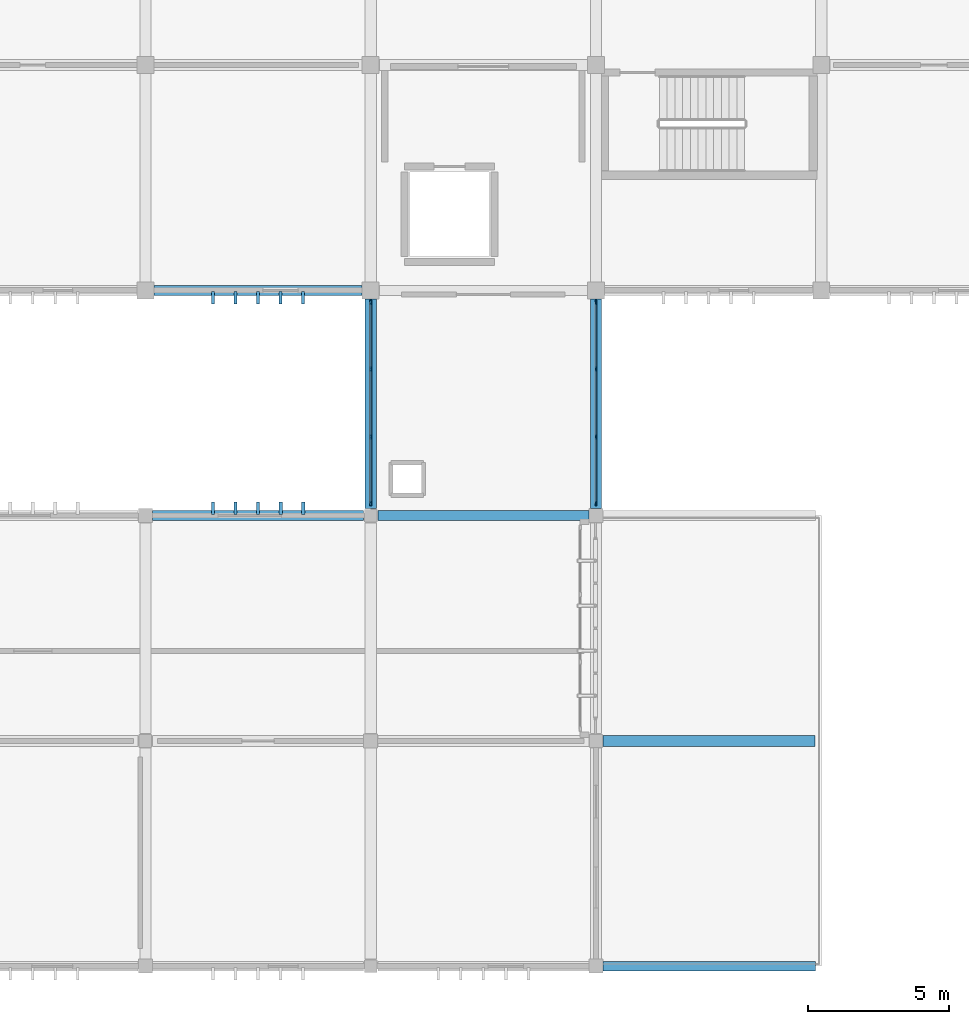
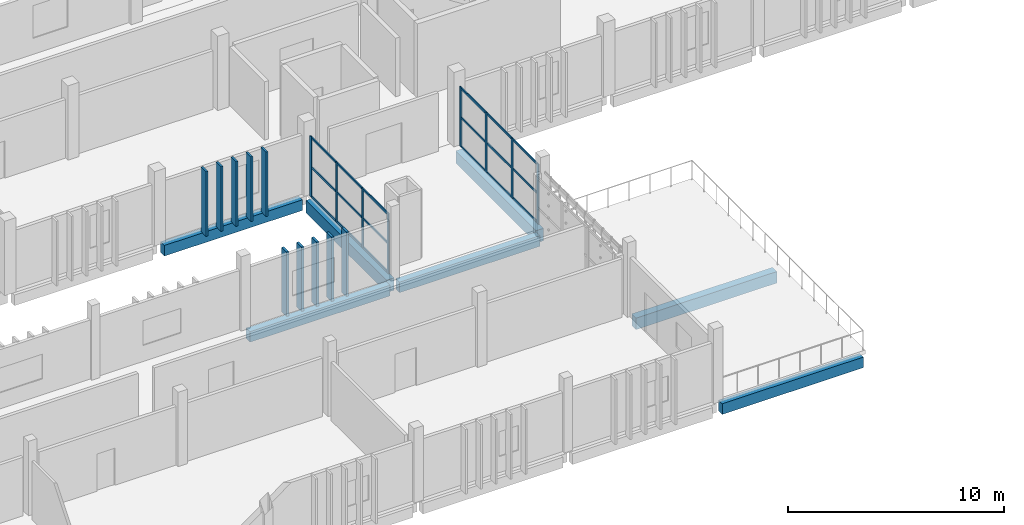
# One storey, part 29 of 63: 36 members, 7 beams, 2 elements without a shape of their own.
"""IFC4 building model written with IfcOpenShell, lengths in metres."""

from ifc_helpers import new_model, si_unit, direction, frame, origin, origin_2d, place, context, subcontext, project, spatial, rectangle, extrude, material, layer, layer_set, material_profile, profile_set, type_object, element, aggregate, save


model = new_model("IFC4")

# Units and contexts
model_context = context("Model", 3, precision=1e-05, world=origin(), true_north=direction((0.0, 1.0)))
body_context = subcontext(model_context, "Body", "Model", "MODEL_VIEW")
ifc_project = project(units=[si_unit("LENGTHUNIT", "METRE"), si_unit("AREAUNIT", "SQUARE_METRE"), si_unit("VOLUMEUNIT", "CUBIC_METRE"), si_unit("PLANEANGLEUNIT", "RADIAN"), si_unit("MASSUNIT", "GRAM", prefix="KILO")], contexts=[model_context])

# Site, building, storey
site_placement = place(None, origin())
site = spatial("IfcSite", under=ifc_project, at=site_placement, CompositionType="ELEMENT")
building_placement = place(site_placement, origin())
building = spatial("IfcBuilding", under=site, at=building_placement, Name="Jelvoka-Kovrelna Polytechnic", CompositionType="ELEMENT")
storey_placement = place(building_placement, frame((0.0, 0.0, 18.0)))
storey = spatial("IfcBuildingStorey", under=building, at=storey_placement, Name="L05", CompositionType="ELEMENT", Elevation=18.0)

# Beams
ifc_material_1 = material(Name="Concrete C40/50", Category="concrete")
ifc_material_profile_1 = material_profile(ifc_material_1, rectangle(XDim=0.39990234375, YDim=0.64990234375, at=origin_2d()), Name="RC 400x650")
ifc_profile_set_1 = profile_set([ifc_material_profile_1], Name="Concrete C40/50")
beam_type_1 = type_object("IfcBeamType", Name="Beam_RC_400x650", PredefinedType="BEAM", material=ifc_profile_set_1)
beam_1_placement = place(storey_placement, frame((152.2548828125, 16.0, -0.544921875), z_axis=(1.0, 0.0, 0.0), x_axis=(0.0, 1.0, 0.0)))
element("IfcBeam", 1, at=beam_1_placement, inside=storey, type_object=beam_type_1, Name="L05 beam 1619", PredefinedType="BEAM", context=body_context, shape_type="SweptSolid", body=[
    extrude(rectangle(XDim=0.39990234375, YDim=0.64990234375, at=origin_2d()), origin(), (0.0, 0.0, 1.0), 7.51513671875),
])
ifc_material_2 = material(Name="Concrete C40/50", Category="concrete")
ifc_material_profile_2 = material_profile(ifc_material_2, rectangle(XDim=0.39990234375, YDim=0.699951171875, at=origin_2d()), Name="RC 400x700")
ifc_profile_set_2 = profile_set([ifc_material_profile_2], Name="Concrete C40/50")
beam_type_2 = type_object("IfcBeamType", Name="Beam_RC_400x700", PredefinedType="BEAM", material=ifc_profile_set_2)
for number, where, z_axis, x_axis, name in (
    (2, (144.0, 24.2548828125, -0.60009765625), (0.0, 1.0, 0.0), (-1.0, 0.0, 0.0), "L05 beam 1608"),
    (3, (152.0, 24.2548828125, -0.60009765625), (0.0, 1.0, 0.0), (-1.0, 0.0, 0.0), "L05 beam 1609"),
):
    element("IfcBeam", number, at=place(storey_placement, frame(where, z_axis=z_axis, x_axis=x_axis)), inside=storey, type_object=beam_type_2, Name=name, PredefinedType="BEAM", context=body_context, shape_type="SweptSolid", body=[
        extrude(rectangle(XDim=0.39990234375, YDim=0.699951171875, at=origin_2d()), origin(), (0.0, 0.0, 1.0), 7.440185546875),
    ])

# Members
ifc_material_3 = material(Name="Precast concrete C40/50", Category="concrete")
ifc_material_profile_3 = material_profile(ifc_material_3, rectangle(XDim=0.10009765625, YDim=0.449951171875, at=origin_2d()), Name="PC 100x450")
ifc_profile_set_3 = profile_set([ifc_material_profile_3], Name="Precast concrete C40/50")
member_type_1 = type_object("IfcMemberType", Name="Louvre_Fin_100x450", PredefinedType="USERDEFINED", material=ifc_profile_set_3)
for number, where, z_axis, x_axis, name in (
    (4, (138.39990234375, 31.735107421875, -0.27001953125), (0.0, 0.0, 1.0), (1.0, 0.0, 0.0), "L05 B2E south vertical solar louvre fin 1016"),
    (5, (139.199951171875, 31.735107421875, -0.27001953125), (0.0, 0.0, 1.0), (1.0, 0.0, 0.0), "L05 B2E south vertical solar louvre fin 1017"),
    (6, (140.0, 31.735107421875, -0.27001953125), (0.0, 0.0, 1.0), (1.0, 0.0, 0.0), "L05 B2E south vertical solar louvre fin 1018"),
    (7, (140.800048828125, 31.735107421875, -0.27001953125), (0.0, 0.0, 1.0), (1.0, 0.0, 0.0), "L05 B2E south vertical solar louvre fin 1019"),
    (8, (141.60009765625, 31.735107421875, -0.27001953125), (0.0, 0.0, 1.0), (1.0, 0.0, 0.0), "L05 B2E south vertical solar louvre fin 1020"),
):
    element("IfcMember", number, at=place(storey_placement, frame(where, z_axis=z_axis, x_axis=x_axis)), inside=storey, type_object=member_type_1, Name=name, ObjectType="SUNSHADE", PredefinedType="USERDEFINED", context=body_context, shape_type="SweptSolid", body=[
        extrude(rectangle(XDim=0.10009765625, YDim=0.449951171875, at=origin_2d()), origin(), (0.0, 0.0, 1.0), 3.655029296875),
    ])
ifc_material_4 = material(Name="Precast concrete C40/50", Category="concrete")
ifc_material_profile_4 = material_profile(ifc_material_4, rectangle(XDim=0.1201171875, YDim=0.449951171875, at=origin_2d()), Name="PC 120x450")
ifc_profile_set_4 = profile_set([ifc_material_profile_4], Name="Precast concrete C40/50")
member_type_2 = type_object("IfcMemberType", Name="Louvre_Fin_120x450", PredefinedType="USERDEFINED", material=ifc_profile_set_4)
for number, where, z_axis, x_axis, name in (
    (9, (138.39990234375, 24.264892578125, -0.27001953125), (0.0, 0.0, 1.0), (1.0, 0.0, 0.0), "L05 B1 north vertical solar louvre fin 0546"),
    (10, (139.199951171875, 24.264892578125, -0.27001953125), (0.0, 0.0, 1.0), (1.0, 0.0, 0.0), "L05 B1 north vertical solar louvre fin 0547"),
    (11, (140.0, 24.264892578125, -0.27001953125), (0.0, 0.0, 1.0), (1.0, 0.0, 0.0), "L05 B1 north vertical solar louvre fin 0548"),
    (12, (140.800048828125, 24.264892578125, -0.27001953125), (0.0, 0.0, 1.0), (1.0, 0.0, 0.0), "L05 B1 north vertical solar louvre fin 0549"),
    (13, (141.60009765625, 24.264892578125, -0.27001953125), (0.0, 0.0, 1.0), (1.0, 0.0, 0.0), "L05 B1 north vertical solar louvre fin 0550"),
):
    element("IfcMember", number, at=place(storey_placement, frame(where, z_axis=z_axis, x_axis=x_axis)), inside=storey, type_object=member_type_2, Name=name, ObjectType="SUNSHADE", PredefinedType="USERDEFINED", context=body_context, shape_type="SweptSolid", body=[
        extrude(rectangle(XDim=0.1201171875, YDim=0.449951171875, at=origin_2d()), origin(), (0.0, 0.0, 1.0), 3.655029296875),
    ])

# Curtain wall, members
ifc_material_5 = material(Name="Anodised aluminium 6063-T6", Category="aluminium")
ifc_layer = layer(ifc_material_5, 0.159912109375)
ifc_layer_set = layer_set([ifc_layer], Name="Anodised aluminium 6063-T6")
curtain_wall_type = type_object("IfcCurtainWallType", Name="CW_LinkBridge", PredefinedType="NOTDEFINED", material=ifc_layer_set)
curtain_wall_1_placement = place(storey_placement, origin())
curtain_wall_1 = element("IfcCurtainWall", 14, at=curtain_wall_1_placement, inside=storey, type_object=curtain_wall_type, Name="L05 glazed curtain wall 150", PredefinedType="NOTDEFINED")
ifc_material_6 = material(Name="Anodised aluminium 6063-T6", Category="aluminium")
ifc_material_profile_5 = material_profile(ifc_material_6, rectangle(XDim=0.06005859375, YDim=0.159912109375, at=origin_2d()), Name="ALU 60x160")
ifc_profile_set_5 = profile_set([ifc_material_profile_5], Name="Anodised aluminium 6063-T6")
member_type_3 = type_object("IfcMemberType", Name="Mullion_M-04", PredefinedType="MULLION", material=ifc_profile_set_5)
member_1_placement = place(storey_placement, frame((144.0, 24.429931640625, -0.02490234375), z_axis=(0.0, 0.0, 1.0), x_axis=(-1.0, 0.0, 0.0)))
member_1 = element("IfcMember", 15, at=member_1_placement, type_object=member_type_3, Name="CW-04 mullion 1", PredefinedType="MULLION", context=body_context, shape_type="SweptSolid", body=[
    extrude(rectangle(XDim=0.06005859375, YDim=0.159912109375, at=origin_2d()), origin(), (0.0, 0.0, 1.0), 3.400146484375),
])
member_2_placement = place(storey_placement, frame((144.0, 26.800048828125, -0.02490234375), z_axis=(0.0, 0.0, 1.0), x_axis=(-1.0, 0.0, 0.0)))
member_2 = element("IfcMember", 16, at=member_2_placement, type_object=member_type_3, Name="CW-04 mullion 2", PredefinedType="MULLION", context=body_context, shape_type="SweptSolid", body=[
    extrude(rectangle(XDim=0.06005859375, YDim=0.159912109375, at=origin_2d()), origin(), (0.0, 0.0, 1.0), 3.400146484375),
])
member_3_placement = place(storey_placement, frame((144.0, 29.199951171875, -0.02490234375), z_axis=(0.0, 0.0, 1.0), x_axis=(-1.0, 0.0, 0.0)))
member_3 = element("IfcMember", 17, at=member_3_placement, type_object=member_type_3, Name="CW-04 mullion 3", PredefinedType="MULLION", context=body_context, shape_type="SweptSolid", body=[
    extrude(rectangle(XDim=0.06005859375, YDim=0.159912109375, at=origin_2d()), origin(), (0.0, 0.0, 1.0), 3.400146484375),
])
member_4_placement = place(storey_placement, frame((144.0, 31.570068359375, -0.02490234375), z_axis=(0.0, 0.0, 1.0), x_axis=(-1.0, 0.0, 0.0)))
member_4 = element("IfcMember", 18, at=member_4_placement, type_object=member_type_3, Name="CW-04 mullion 4", PredefinedType="MULLION", context=body_context, shape_type="SweptSolid", body=[
    extrude(rectangle(XDim=0.06005859375, YDim=0.159912109375, at=origin_2d()), origin(), (0.0, 0.0, 1.0), 3.400146484375),
])

curtain_wall_2_placement = place(storey_placement, origin())
curtain_wall_2 = element("IfcCurtainWall", 19, at=curtain_wall_2_placement, inside=storey, type_object=curtain_wall_type, Name="L05 glazed curtain wall 151", PredefinedType="NOTDEFINED")
member_5_placement = place(storey_placement, frame((152.0, 31.570068359375, -0.02490234375), z_axis=(0.0, 0.0, 1.0), x_axis=(1.0, 0.0, 0.0)))
member_5 = element("IfcMember", 20, at=member_5_placement, type_object=member_type_3, Name="CW-04 mullion 1", PredefinedType="MULLION", context=body_context, shape_type="SweptSolid", body=[
    extrude(rectangle(XDim=0.06005859375, YDim=0.159912109375, at=origin_2d()), origin(), (0.0, 0.0, 1.0), 3.400146484375),
])
member_6_placement = place(storey_placement, frame((152.0, 29.199951171875, -0.02490234375), z_axis=(0.0, 0.0, 1.0), x_axis=(1.0, 0.0, 0.0)))
member_6 = element("IfcMember", 21, at=member_6_placement, type_object=member_type_3, Name="CW-04 mullion 2", PredefinedType="MULLION", context=body_context, shape_type="SweptSolid", body=[
    extrude(rectangle(XDim=0.06005859375, YDim=0.159912109375, at=origin_2d()), origin(), (0.0, 0.0, 1.0), 3.400146484375),
])
member_7_placement = place(storey_placement, frame((152.0, 26.800048828125, -0.02490234375), z_axis=(0.0, 0.0, 1.0), x_axis=(1.0, 0.0, 0.0)))
member_7 = element("IfcMember", 22, at=member_7_placement, type_object=member_type_3, Name="CW-04 mullion 3", PredefinedType="MULLION", context=body_context, shape_type="SweptSolid", body=[
    extrude(rectangle(XDim=0.06005859375, YDim=0.159912109375, at=origin_2d()), origin(), (0.0, 0.0, 1.0), 3.400146484375),
])
member_8_placement = place(storey_placement, frame((152.0, 24.429931640625, -0.02490234375), z_axis=(0.0, 0.0, 1.0), x_axis=(1.0, 0.0, 0.0)))
member_8 = element("IfcMember", 23, at=member_8_placement, type_object=member_type_3, Name="CW-04 mullion 4", PredefinedType="MULLION", context=body_context, shape_type="SweptSolid", body=[
    extrude(rectangle(XDim=0.06005859375, YDim=0.159912109375, at=origin_2d()), origin(), (0.0, 0.0, 1.0), 3.400146484375),
])

# Beams
ifc_material_7 = material(Name="Concrete C40/50", Category="concrete")
ifc_material_profile_6 = material_profile(ifc_material_7, rectangle(XDim=0.35009765625, YDim=0.60009765625, at=origin_2d()), Name="RC 350x600")
ifc_profile_set_6 = profile_set([ifc_material_profile_6], Name="Concrete C40/50")
beam_type_3 = type_object("IfcBeamType", Name="Spandrel_RC_350x600", PredefinedType="SPANDREL", material=ifc_profile_set_6)
for number, where, z_axis, x_axis, name in (
    (24, (136.2548828125, 24.0, -0.550048828125), (1.0, 0.0, 0.0), (0.0, 1.0, 0.0), "L05 beam 1411"),
    (25, (144.2548828125, 24.0, -0.550048828125), (1.0, 0.0, 0.0), (0.0, 1.0, 0.0), "L05 beam 1412"),
):
    element("IfcBeam", number, at=place(storey_placement, frame(where, z_axis=z_axis, x_axis=x_axis)), inside=storey, type_object=beam_type_3, Name=name, PredefinedType="SPANDREL", context=body_context, shape_type="SweptSolid", body=[
        extrude(rectangle(XDim=0.35009765625, YDim=0.60009765625, at=origin_2d()), origin(), (0.0, 0.0, 1.0), 7.490234375),
    ])
beam_2_placement = place(storey_placement, frame((136.304931640625, 32.0, -0.550048828125), z_axis=(1.0, 0.0, 0.0), x_axis=(0.0, 1.0, 0.0)))
element("IfcBeam", 26, at=beam_2_placement, inside=storey, type_object=beam_type_3, Name="L05 beam 1460", PredefinedType="SPANDREL", context=body_context, shape_type="SweptSolid", body=[
    extrude(rectangle(XDim=0.35009765625, YDim=0.60009765625, at=origin_2d()), origin(), (0.0, 0.0, 1.0), 7.39013671875),
])
beam_3_placement = place(storey_placement, frame((152.2548828125, 8.0, -0.52001953125), z_axis=(1.0, 0.0, 0.0), x_axis=(0.0, 1.0, 0.0)))
element("IfcBeam", 27, at=beam_3_placement, inside=storey, type_object=beam_type_3, Name="L05 beam 1618", PredefinedType="SPANDREL", context=body_context, shape_type="SweptSolid", body=[
    extrude(rectangle(XDim=0.35009765625, YDim=0.60009765625, at=origin_2d()), origin(), (0.0, 0.0, 1.0), 7.5400390625),
])

# Member
ifc_material_8 = material(Name="Anodised aluminium 6063-T6", Category="aluminium")
ifc_material_profile_7 = material_profile(ifc_material_8, rectangle(XDim=0.06005859375, YDim=0.1201171875, at=origin_2d()), Name="ALU 60x120")
ifc_profile_set_7 = profile_set([ifc_material_profile_7], Name="Anodised aluminium 6063-T6")
member_type_4 = type_object("IfcMemberType", Name="Transom_T-04", PredefinedType="USERDEFINED", material=ifc_profile_set_7)
member_9_placement = place(storey_placement, frame((144.0, 24.4599609375, 0.030029296875), z_axis=(0.0, 1.0, 0.0), x_axis=(-1.0, 0.0, 0.0)))
member_9 = element("IfcMember", 28, at=member_9_placement, type_object=member_type_4, Name="CW-04 transom 1.1", ObjectType="TRANSOM", PredefinedType="USERDEFINED", context=body_context, shape_type="SweptSolid", body=[
    extrude(rectangle(XDim=0.06005859375, YDim=0.1201171875, at=origin_2d()), origin(), (0.0, 0.0, 1.0), 2.31005859375),
])

member_10_placement = place(storey_placement, frame((144.0, 24.4599609375, 1.675048828125), z_axis=(0.0, 1.0, 0.0), x_axis=(-1.0, 0.0, 0.0)))
member_10 = element("IfcMember", 29, at=member_10_placement, type_object=member_type_4, Name="CW-04 transom 1.2", ObjectType="TRANSOM", PredefinedType="USERDEFINED", context=body_context, shape_type="SweptSolid", body=[
    extrude(rectangle(XDim=0.06005859375, YDim=0.1201171875, at=origin_2d()), origin(), (0.0, 0.0, 1.0), 2.31005859375),
])

member_11_placement = place(storey_placement, frame((144.0, 24.4599609375, 3.320068359375), z_axis=(0.0, 1.0, 0.0), x_axis=(-1.0, 0.0, 0.0)))
member_11 = element("IfcMember", 30, at=member_11_placement, type_object=member_type_4, Name="CW-04 transom 1.3", ObjectType="TRANSOM", PredefinedType="USERDEFINED", context=body_context, shape_type="SweptSolid", body=[
    extrude(rectangle(XDim=0.06005859375, YDim=0.1201171875, at=origin_2d()), origin(), (0.0, 0.0, 1.0), 2.31005859375),
])

member_12_placement = place(storey_placement, frame((144.0, 26.830078125, 0.030029296875), z_axis=(0.0, 1.0, 0.0), x_axis=(-1.0, 0.0, 0.0)))
member_12 = element("IfcMember", 31, at=member_12_placement, type_object=member_type_4, Name="CW-04 transom 2.1", ObjectType="TRANSOM", PredefinedType="USERDEFINED", context=body_context, shape_type="SweptSolid", body=[
    extrude(rectangle(XDim=0.06005859375, YDim=0.1201171875, at=origin_2d()), origin(), (0.0, 0.0, 1.0), 2.33984375),
])

member_13_placement = place(storey_placement, frame((144.0, 26.830078125, 1.675048828125), z_axis=(0.0, 1.0, 0.0), x_axis=(-1.0, 0.0, 0.0)))
member_13 = element("IfcMember", 32, at=member_13_placement, type_object=member_type_4, Name="CW-04 transom 2.2", ObjectType="TRANSOM", PredefinedType="USERDEFINED", context=body_context, shape_type="SweptSolid", body=[
    extrude(rectangle(XDim=0.06005859375, YDim=0.1201171875, at=origin_2d()), origin(), (0.0, 0.0, 1.0), 2.33984375),
])

member_14_placement = place(storey_placement, frame((144.0, 26.830078125, 3.320068359375), z_axis=(0.0, 1.0, 0.0), x_axis=(-1.0, 0.0, 0.0)))
member_14 = element("IfcMember", 33, at=member_14_placement, type_object=member_type_4, Name="CW-04 transom 2.3", ObjectType="TRANSOM", PredefinedType="USERDEFINED", context=body_context, shape_type="SweptSolid", body=[
    extrude(rectangle(XDim=0.06005859375, YDim=0.1201171875, at=origin_2d()), origin(), (0.0, 0.0, 1.0), 2.33984375),
])

member_15_placement = place(storey_placement, frame((144.0, 29.22998046875, 0.030029296875), z_axis=(0.0, 1.0, 0.0), x_axis=(-1.0, 0.0, 0.0)))
member_15 = element("IfcMember", 34, at=member_15_placement, type_object=member_type_4, Name="CW-04 transom 3.1", ObjectType="TRANSOM", PredefinedType="USERDEFINED", context=body_context, shape_type="SweptSolid", body=[
    extrude(rectangle(XDim=0.06005859375, YDim=0.1201171875, at=origin_2d()), origin(), (0.0, 0.0, 1.0), 2.31005859375),
])

member_16_placement = place(storey_placement, frame((144.0, 29.22998046875, 1.675048828125), z_axis=(0.0, 1.0, 0.0), x_axis=(-1.0, 0.0, 0.0)))
member_16 = element("IfcMember", 35, at=member_16_placement, type_object=member_type_4, Name="CW-04 transom 3.2", ObjectType="TRANSOM", PredefinedType="USERDEFINED", context=body_context, shape_type="SweptSolid", body=[
    extrude(rectangle(XDim=0.06005859375, YDim=0.1201171875, at=origin_2d()), origin(), (0.0, 0.0, 1.0), 2.31005859375),
])

member_17_placement = place(storey_placement, frame((144.0, 29.22998046875, 3.320068359375), z_axis=(0.0, 1.0, 0.0), x_axis=(-1.0, 0.0, 0.0)))
member_17 = element("IfcMember", 36, at=member_17_placement, type_object=member_type_4, Name="CW-04 transom 3.3", ObjectType="TRANSOM", PredefinedType="USERDEFINED", context=body_context, shape_type="SweptSolid", body=[
    extrude(rectangle(XDim=0.06005859375, YDim=0.1201171875, at=origin_2d()), origin(), (0.0, 0.0, 1.0), 2.31005859375),
])

aggregate(curtain_wall_1, [member_1, member_2, member_3, member_4, member_9, member_10, member_11, member_12, member_13, member_14, member_15, member_16, member_17])

member_18_placement = place(storey_placement, frame((152.0, 31.5400390625, 0.030029296875), z_axis=(0.0, -1.0, 0.0), x_axis=(1.0, 0.0, 0.0)))
member_18 = element("IfcMember", 37, at=member_18_placement, type_object=member_type_4, Name="CW-04 transom 1.1", ObjectType="TRANSOM", PredefinedType="USERDEFINED", context=body_context, shape_type="SweptSolid", body=[
    extrude(rectangle(XDim=0.06005859375, YDim=0.1201171875, at=origin_2d()), origin(), (0.0, 0.0, 1.0), 2.31005859375),
])

member_19_placement = place(storey_placement, frame((152.0, 31.5400390625, 1.675048828125), z_axis=(0.0, -1.0, 0.0), x_axis=(1.0, 0.0, 0.0)))
member_19 = element("IfcMember", 38, at=member_19_placement, type_object=member_type_4, Name="CW-04 transom 1.2", ObjectType="TRANSOM", PredefinedType="USERDEFINED", context=body_context, shape_type="SweptSolid", body=[
    extrude(rectangle(XDim=0.06005859375, YDim=0.1201171875, at=origin_2d()), origin(), (0.0, 0.0, 1.0), 2.31005859375),
])

member_20_placement = place(storey_placement, frame((152.0, 31.5400390625, 3.320068359375), z_axis=(0.0, -1.0, 0.0), x_axis=(1.0, 0.0, 0.0)))
member_20 = element("IfcMember", 39, at=member_20_placement, type_object=member_type_4, Name="CW-04 transom 1.3", ObjectType="TRANSOM", PredefinedType="USERDEFINED", context=body_context, shape_type="SweptSolid", body=[
    extrude(rectangle(XDim=0.06005859375, YDim=0.1201171875, at=origin_2d()), origin(), (0.0, 0.0, 1.0), 2.31005859375),
])

member_21_placement = place(storey_placement, frame((152.0, 29.169921875, 0.030029296875), z_axis=(0.0, -1.0, 0.0), x_axis=(1.0, 0.0, 0.0)))
member_21 = element("IfcMember", 40, at=member_21_placement, type_object=member_type_4, Name="CW-04 transom 2.1", ObjectType="TRANSOM", PredefinedType="USERDEFINED", context=body_context, shape_type="SweptSolid", body=[
    extrude(rectangle(XDim=0.06005859375, YDim=0.1201171875, at=origin_2d()), origin(), (0.0, 0.0, 1.0), 2.33984375),
])

member_22_placement = place(storey_placement, frame((152.0, 29.169921875, 1.675048828125), z_axis=(0.0, -1.0, 0.0), x_axis=(1.0, 0.0, 0.0)))
member_22 = element("IfcMember", 41, at=member_22_placement, type_object=member_type_4, Name="CW-04 transom 2.2", ObjectType="TRANSOM", PredefinedType="USERDEFINED", context=body_context, shape_type="SweptSolid", body=[
    extrude(rectangle(XDim=0.06005859375, YDim=0.1201171875, at=origin_2d()), origin(), (0.0, 0.0, 1.0), 2.33984375),
])

member_23_placement = place(storey_placement, frame((152.0, 29.169921875, 3.320068359375), z_axis=(0.0, -1.0, 0.0), x_axis=(1.0, 0.0, 0.0)))
member_23 = element("IfcMember", 42, at=member_23_placement, type_object=member_type_4, Name="CW-04 transom 2.3", ObjectType="TRANSOM", PredefinedType="USERDEFINED", context=body_context, shape_type="SweptSolid", body=[
    extrude(rectangle(XDim=0.06005859375, YDim=0.1201171875, at=origin_2d()), origin(), (0.0, 0.0, 1.0), 2.33984375),
])

member_24_placement = place(storey_placement, frame((152.0, 26.77001953125, 0.030029296875), z_axis=(0.0, -1.0, 0.0), x_axis=(1.0, 0.0, 0.0)))
member_24 = element("IfcMember", 43, at=member_24_placement, type_object=member_type_4, Name="CW-04 transom 3.1", ObjectType="TRANSOM", PredefinedType="USERDEFINED", context=body_context, shape_type="SweptSolid", body=[
    extrude(rectangle(XDim=0.06005859375, YDim=0.1201171875, at=origin_2d()), origin(), (0.0, 0.0, 1.0), 2.31005859375),
])

member_25_placement = place(storey_placement, frame((152.0, 26.77001953125, 1.675048828125), z_axis=(0.0, -1.0, 0.0), x_axis=(1.0, 0.0, 0.0)))
member_25 = element("IfcMember", 44, at=member_25_placement, type_object=member_type_4, Name="CW-04 transom 3.2", ObjectType="TRANSOM", PredefinedType="USERDEFINED", context=body_context, shape_type="SweptSolid", body=[
    extrude(rectangle(XDim=0.06005859375, YDim=0.1201171875, at=origin_2d()), origin(), (0.0, 0.0, 1.0), 2.31005859375),
])

member_26_placement = place(storey_placement, frame((152.0, 26.77001953125, 3.320068359375), z_axis=(0.0, -1.0, 0.0), x_axis=(1.0, 0.0, 0.0)))
member_26 = element("IfcMember", 45, at=member_26_placement, type_object=member_type_4, Name="CW-04 transom 3.3", ObjectType="TRANSOM", PredefinedType="USERDEFINED", context=body_context, shape_type="SweptSolid", body=[
    extrude(rectangle(XDim=0.06005859375, YDim=0.1201171875, at=origin_2d()), origin(), (0.0, 0.0, 1.0), 2.31005859375),
])

aggregate(curtain_wall_2, [member_5, member_6, member_7, member_8, member_18, member_19, member_20, member_21, member_22, member_23, member_24, member_25, member_26])

save(model, "model.ifc")
